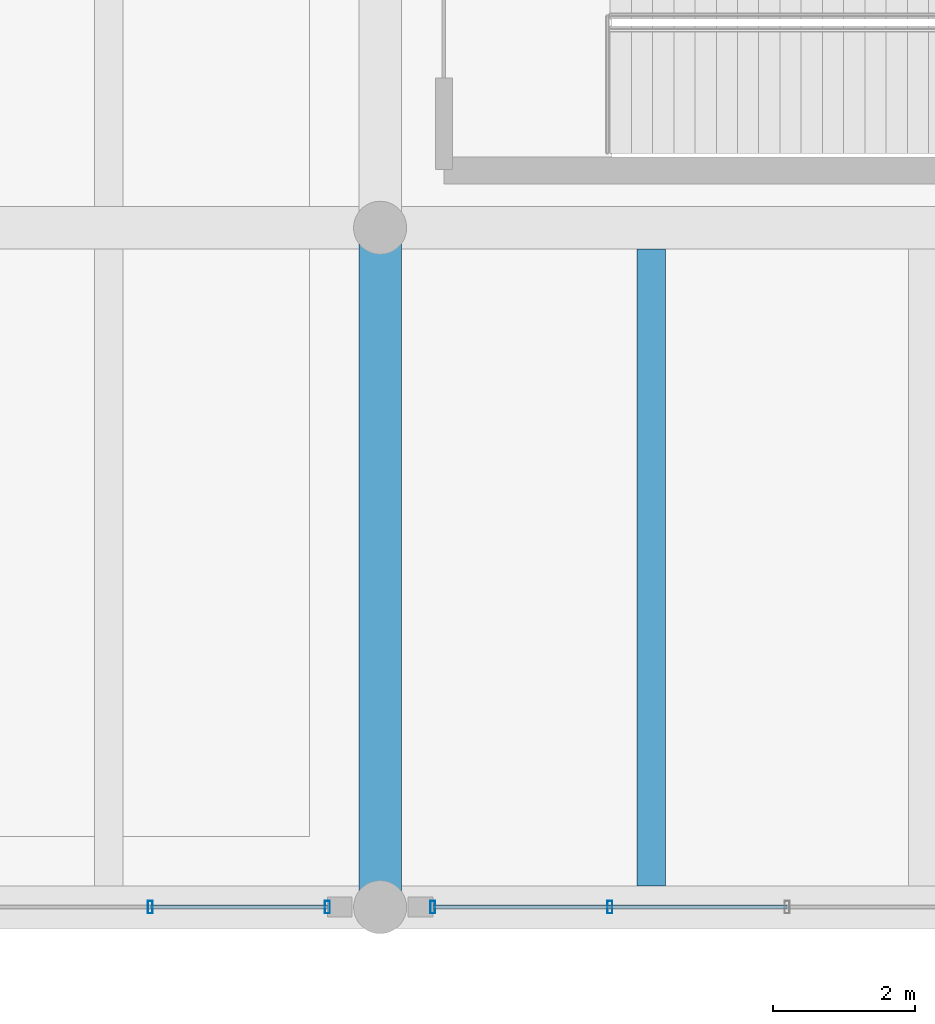
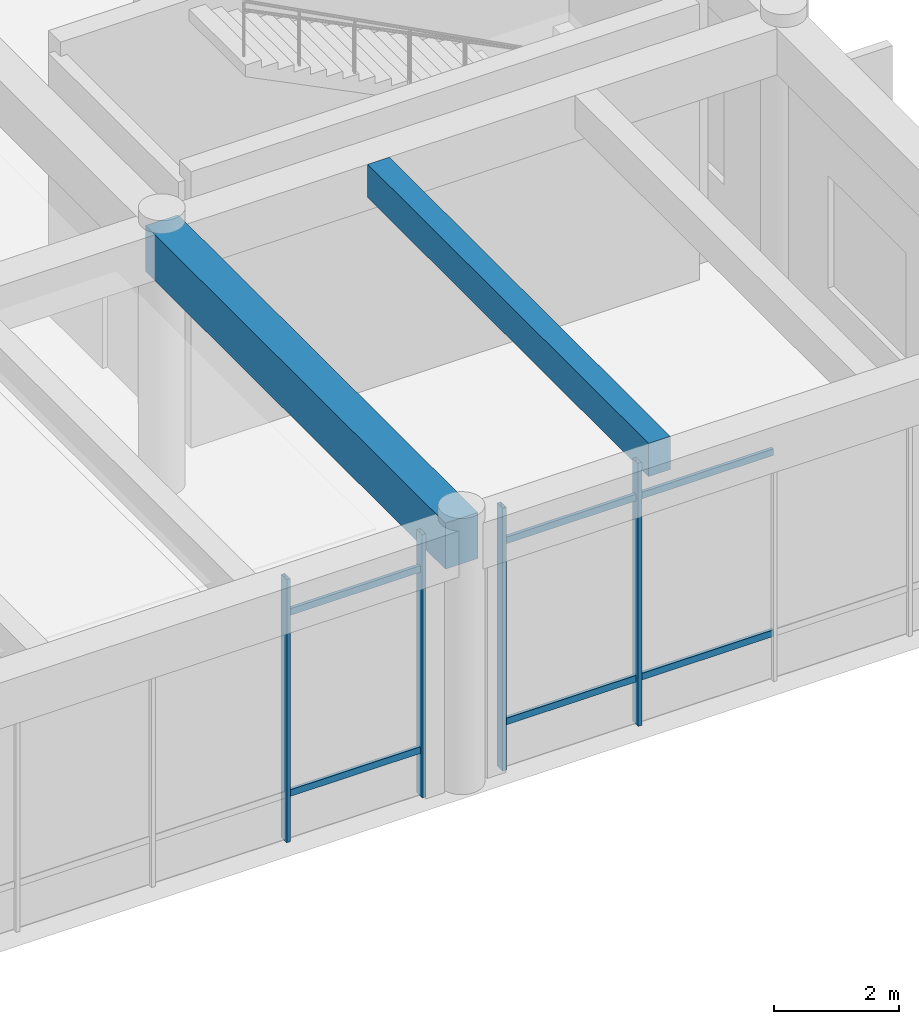
# One storey, part 39 of 148: 10 members, 2 beams, 2 elements without a shape of their own.
"""IFC4 building model written with IfcOpenShell, lengths in metres."""

from ifc_helpers import new_model, si_unit, direction, frame, origin, origin_2d, place, context, subcontext, project, spatial, rectangle, hollow_rectangle, extrude, material, material_profile, profile_set, type_object, element, aggregate, save


model = new_model("IFC4")

# Units and contexts
model_context = context("Model", 3, precision=1e-05, world=origin(), true_north=direction((0.0, 1.0)))
body_context = subcontext(model_context, "Body", "Model", "MODEL_VIEW")
ifc_project = project(units=[si_unit("LENGTHUNIT", "METRE"), si_unit("AREAUNIT", "SQUARE_METRE"), si_unit("VOLUMEUNIT", "CUBIC_METRE"), si_unit("PLANEANGLEUNIT", "RADIAN"), si_unit("MASSUNIT", "GRAM", prefix="KILO")], contexts=[model_context])

# Site, building, storey
site_placement = place(None, origin())
site = spatial("IfcSite", under=ifc_project, at=site_placement, CompositionType="ELEMENT")
building_placement = place(site_placement, origin())
building = spatial("IfcBuilding", under=site, at=building_placement, Name="Ologun Quay Terminus", CompositionType="ELEMENT")
storey_placement = place(building_placement, frame((0.0, 0.0, 8.39990234375)))
storey = spatial("IfcBuildingStorey", under=building, at=storey_placement, Name="L02", CompositionType="ELEMENT", Elevation=8.39990234375)

# Curtain wall, members
ifc_material_1 = material(Name="Aluminium 6063-T6", Category="aluminium")
curtain_wall_type = type_object("IfcCurtainWallType", Name="Concourse Departure Curtain Wall 10700x4950", PredefinedType="USERDEFINED", material=ifc_material_1)
curtain_wall_1_placement = place(storey_placement, origin())
curtain_wall_1 = element("IfcCurtainWall", 1, at=curtain_wall_1_placement, inside=storey, type_object=curtain_wall_type, Name="CW-05 Curtain Wall CW-L02-028", ObjectType="UNITISED CURTAIN WALL", PredefinedType="USERDEFINED")
ifc_material_2 = material(Name="Aluminium 6063-T6", Category="aluminium")
ifc_material_profile_1 = material_profile(ifc_material_2, hollow_rectangle(XDim=0.070068359375, YDim=0.179931640625, WallThickness=0.0048828125, at=origin_2d()), Name="ALU 180x70x5")
ifc_profile_set_1 = profile_set([ifc_material_profile_1], Name="Aluminium 6063-T6")
member_type_1 = type_object("IfcMemberType", Name="Curtain Wall Heavy Mullion 180x70", PredefinedType="MULLION", material=ifc_profile_set_1)
member_1_placement = place(storey_placement, frame((111.75244140625, 8.0, 0.0), z_axis=(0.0, 0.0, 1.0), x_axis=(1.0, 0.0, 0.0)))
member_1 = element("IfcMember", 2, at=member_1_placement, type_object=member_type_1, Name="CW-L02-028 Mullion 4", PredefinedType="MULLION", context=body_context, shape_type="SweptSolid", body=[
    extrude(hollow_rectangle(XDim=0.070068359375, YDim=0.179931640625, WallThickness=0.0048828125, at=origin_2d()), origin(), (0.0, 0.0, 1.0), 5.14013671875),
])
member_2_placement = place(storey_placement, frame((114.2548828125, 8.0, 0.0), z_axis=(0.0, 0.0, 1.0), x_axis=(1.0, 0.0, 0.0)))
member_2 = element("IfcMember", 3, at=member_2_placement, type_object=member_type_1, Name="CW-L02-028 Mullion 5", PredefinedType="MULLION", context=body_context, shape_type="SweptSolid", body=[
    extrude(hollow_rectangle(XDim=0.070068359375, YDim=0.179931640625, WallThickness=0.0048828125, at=origin_2d()), origin(), (0.0, 0.0, 1.0), 5.14013671875),
])

curtain_wall_2_placement = place(storey_placement, origin())
curtain_wall_2 = element("IfcCurtainWall", 4, at=curtain_wall_2_placement, inside=storey, type_object=curtain_wall_type, Name="CW-05 Curtain Wall CW-L02-029", ObjectType="UNITISED CURTAIN WALL", PredefinedType="USERDEFINED")
member_3_placement = place(storey_placement, frame((115.7451171875, 8.0, 0.0), z_axis=(0.0, 0.0, 1.0), x_axis=(1.0, 0.0, 0.0)))
member_3 = element("IfcMember", 5, at=member_3_placement, type_object=member_type_1, Name="CW-L02-029 Mullion 1", PredefinedType="MULLION", context=body_context, shape_type="SweptSolid", body=[
    extrude(hollow_rectangle(XDim=0.070068359375, YDim=0.179931640625, WallThickness=0.0048828125, at=origin_2d()), origin(), (0.0, 0.0, 1.0), 5.14013671875),
])
member_4_placement = place(storey_placement, frame((118.24755859375, 8.0, 0.0), z_axis=(0.0, 0.0, 1.0), x_axis=(1.0, 0.0, 0.0)))
member_4 = element("IfcMember", 6, at=member_4_placement, type_object=member_type_1, Name="CW-L02-029 Mullion 2", PredefinedType="MULLION", context=body_context, shape_type="SweptSolid", body=[
    extrude(hollow_rectangle(XDim=0.070068359375, YDim=0.179931640625, WallThickness=0.0048828125, at=origin_2d()), origin(), (0.0, 0.0, 1.0), 5.14013671875),
])

# Member
ifc_material_3 = material(Name="Aluminium 6063-T6", Category="aluminium")
ifc_material_profile_2 = material_profile(ifc_material_3, hollow_rectangle(XDim=0.06005859375, YDim=0.1298828125, WallThickness=0.00390625, at=origin_2d()), Name="ALU 130x60x4")
ifc_profile_set_2 = profile_set([ifc_material_profile_2], Name="Aluminium 6063-T6")
member_type_2 = type_object("IfcMemberType", Name="Curtain Wall Heavy Transom 130x60", PredefinedType="USERDEFINED", material=ifc_profile_set_2)
member_5_placement = place(storey_placement, frame((111.75244140625, 8.0, 0.900146484375), z_axis=(1.0, 0.0, 0.0), x_axis=(0.0, 1.0, 0.0)))
member_5 = element("IfcMember", 7, at=member_5_placement, type_object=member_type_2, Name="CW-L02-028 Transom B4-1", ObjectType="TRANSOM", PredefinedType="USERDEFINED", context=body_context, shape_type="SweptSolid", body=[
    extrude(hollow_rectangle(XDim=0.06005859375, YDim=0.1298828125, WallThickness=0.00390625, at=origin_2d()), origin(), (0.0, 0.0, 1.0), 2.50244140625),
])

member_6_placement = place(storey_placement, frame((111.75244140625, 8.0, 4.440185546875), z_axis=(1.0, 0.0, 0.0), x_axis=(0.0, 1.0, 0.0)))
member_6 = element("IfcMember", 8, at=member_6_placement, type_object=member_type_2, Name="CW-L02-028 Transom B4-2", ObjectType="TRANSOM", PredefinedType="USERDEFINED", context=body_context, shape_type="SweptSolid", body=[
    extrude(hollow_rectangle(XDim=0.06005859375, YDim=0.1298828125, WallThickness=0.00390625, at=origin_2d()), origin(), (0.0, 0.0, 1.0), 2.50244140625),
])

aggregate(curtain_wall_1, [member_1, member_2, member_5, member_6])

member_7_placement = place(storey_placement, frame((115.7451171875, 8.0, 0.900146484375), z_axis=(1.0, 0.0, 0.0), x_axis=(0.0, 1.0, 0.0)))
member_7 = element("IfcMember", 9, at=member_7_placement, type_object=member_type_2, Name="CW-L02-029 Transom B1-1", ObjectType="TRANSOM", PredefinedType="USERDEFINED", context=body_context, shape_type="SweptSolid", body=[
    extrude(hollow_rectangle(XDim=0.06005859375, YDim=0.1298828125, WallThickness=0.00390625, at=origin_2d()), origin(), (0.0, 0.0, 1.0), 2.50244140625),
])

member_8_placement = place(storey_placement, frame((115.7451171875, 8.0, 4.440185546875), z_axis=(1.0, 0.0, 0.0), x_axis=(0.0, 1.0, 0.0)))
member_8 = element("IfcMember", 10, at=member_8_placement, type_object=member_type_2, Name="CW-L02-029 Transom B1-2", ObjectType="TRANSOM", PredefinedType="USERDEFINED", context=body_context, shape_type="SweptSolid", body=[
    extrude(hollow_rectangle(XDim=0.06005859375, YDim=0.1298828125, WallThickness=0.00390625, at=origin_2d()), origin(), (0.0, 0.0, 1.0), 2.50244140625),
])

member_9_placement = place(storey_placement, frame((118.24755859375, 8.0, 0.900146484375), z_axis=(1.0, 0.0, 0.0), x_axis=(0.0, 1.0, 0.0)))
member_9 = element("IfcMember", 11, at=member_9_placement, type_object=member_type_2, Name="CW-L02-029 Transom B2-1", ObjectType="TRANSOM", PredefinedType="USERDEFINED", context=body_context, shape_type="SweptSolid", body=[
    extrude(hollow_rectangle(XDim=0.06005859375, YDim=0.1298828125, WallThickness=0.00390625, at=origin_2d()), origin(), (0.0, 0.0, 1.0), 2.50244140625),
])

member_10_placement = place(storey_placement, frame((118.24755859375, 8.0, 4.440185546875), z_axis=(1.0, 0.0, 0.0), x_axis=(0.0, 1.0, 0.0)))
member_10 = element("IfcMember", 12, at=member_10_placement, type_object=member_type_2, Name="CW-L02-029 Transom B2-2", ObjectType="TRANSOM", PredefinedType="USERDEFINED", context=body_context, shape_type="SweptSolid", body=[
    extrude(hollow_rectangle(XDim=0.06005859375, YDim=0.1298828125, WallThickness=0.00390625, at=origin_2d()), origin(), (0.0, 0.0, 1.0), 2.50244140625),
])

aggregate(curtain_wall_2, [member_3, member_4, member_7, member_8, member_9, member_10])

# Beams
ifc_material_4 = material(Name="Concrete C40/50", Category="concrete")
ifc_material_profile_3 = material_profile(ifc_material_4, rectangle(XDim=0.60009765625, YDim=0.89990234375, at=origin_2d()), Name="RC 600x900")
ifc_profile_set_3 = profile_set([ifc_material_profile_3], Name="Concrete C40/50")
beam_type_1 = type_object("IfcBeamType", Name="Station Frame Girder 600x900", PredefinedType="BEAM", material=ifc_profile_set_3)
beam_1_placement = place(storey_placement, frame((115.0, 8.0, 4.7001953125), z_axis=(0.0, 1.0, 0.0), x_axis=(-1.0, 0.0, 0.0)))
element("IfcBeam", 13, at=beam_1_placement, inside=storey, type_object=beam_type_1, Name="B3 Beam 11/B L02", PredefinedType="BEAM", context=body_context, shape_type="SweptSolid", body=[
    extrude(rectangle(XDim=0.60009765625, YDim=0.89990234375, at=origin_2d()), origin(), (0.0, 0.0, 1.0), 9.60009765625),
])
ifc_material_5 = material(Name="Concrete C40/50", Category="concrete")
ifc_material_profile_4 = material_profile(ifc_material_5, rectangle(XDim=0.39990234375, YDim=0.64990234375, at=origin_2d()), Name="RC 400x650")
ifc_profile_set_4 = profile_set([ifc_material_profile_4], Name="Concrete C40/50")
beam_type_2 = type_object("IfcBeamType", Name="Station Secondary Joist 400x650", PredefinedType="JOIST", material=ifc_profile_set_4)
beam_2_placement = place(storey_placement, frame((118.833251953125, 8.300048828125, 4.8251953125), z_axis=(0.0, 1.0, 0.0), x_axis=(-1.0, 0.0, 0.0)))
element("IfcBeam", 14, at=beam_2_placement, inside=storey, type_object=beam_type_2, Name="J1 Beam 11/B L02", PredefinedType="JOIST", context=body_context, shape_type="SweptSolid", body=[
    extrude(rectangle(XDim=0.39990234375, YDim=0.64990234375, at=origin_2d()), origin(), (0.0, 0.0, 1.0), 9.0),
])

save(model, "model.ifc")
